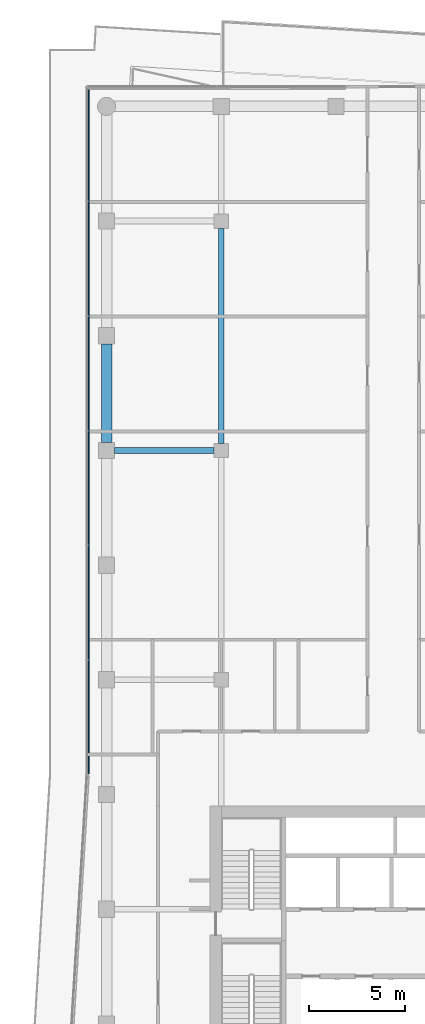
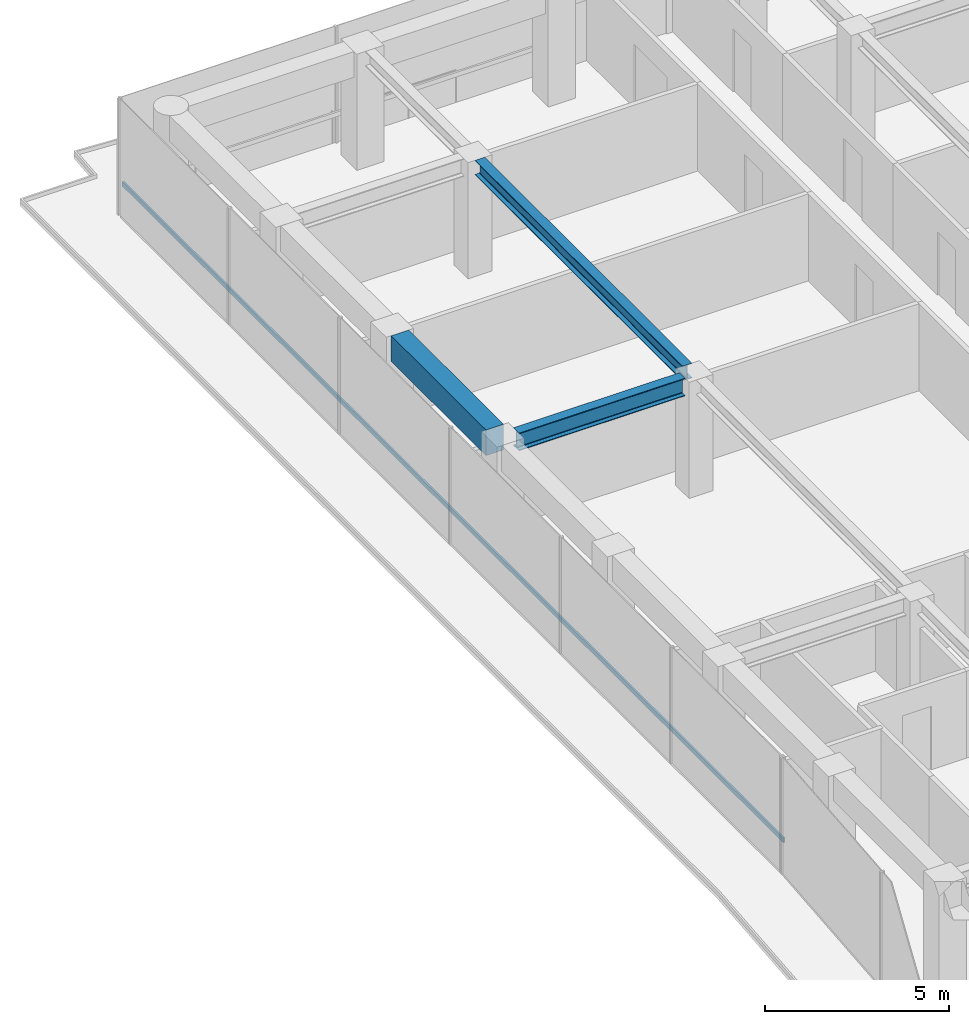
# One storey, part 11 of 22: 3 beams, 1 member, 1 element without a shape of its own.
"""IFC4 building model written with IfcOpenShell, lengths in metres."""

from ifc_helpers import new_model, si_unit, direction, frame, origin, origin_2d, place, context, subcontext, project, spatial, rectangle, i_section, extrude, material, layer, layer_set, material_profile, profile_set, type_object, element, aggregate, save


model = new_model("IFC4")

# Units and contexts
model_context = context("Model", 3, precision=1e-05, world=origin(), true_north=direction((0.0, 1.0)))
body_context = subcontext(model_context, "Body", "Model", "MODEL_VIEW")
ifc_project = project(units=[si_unit("LENGTHUNIT", "METRE"), si_unit("AREAUNIT", "SQUARE_METRE"), si_unit("VOLUMEUNIT", "CUBIC_METRE"), si_unit("PLANEANGLEUNIT", "RADIAN"), si_unit("MASSUNIT", "GRAM", prefix="KILO")], contexts=[model_context])

# Site, building, storey
site_placement = place(None, origin())
site = spatial("IfcSite", under=ifc_project, at=site_placement, CompositionType="ELEMENT")
building_placement = place(site_placement, origin())
building = spatial("IfcBuilding", under=site, at=building_placement, Name="Welwitschia Terrace Campus", CompositionType="ELEMENT")
storey_placement = place(building_placement, frame((0.0, 0.0, 155.0)))
storey = spatial("IfcBuildingStorey", under=building, at=storey_placement, Name="L34", CompositionType="ELEMENT", Elevation=155.0)

# Beams
ifc_material_1 = material(Name="Steel S355", Category="steel")
ifc_material_profile_1 = material_profile(ifc_material_1, i_section(OverallWidth=0.300048828125, OverallDepth=0.489990234375, WebThickness=0.011962890625, FlangeThickness=0.02294921875, FilletRadius=0.027099609375, at=origin_2d()))
ifc_profile_set_1 = profile_set([ifc_material_profile_1], Name="Steel S355")
beam_type_1 = type_object("IfcBeamType", Name="Interior girder HE 500 A", PredefinedType="BEAM", material=ifc_profile_set_1)
beam_1_placement = place(storey_placement, frame((6.0, 44.37548828125, 3.60498046875), z_axis=(0.0, 1.0, 0.0), x_axis=(-1.0, 0.0, 0.0)))
element("IfcBeam", 1, at=beam_1_placement, inside=storey, type_object=beam_type_1, Name="Girder GB4", PredefinedType="BEAM", context=body_context, shape_type="SweptSolid", body=[
    extrude(i_section(OverallWidth=0.300048828125, OverallDepth=0.489990234375, WebThickness=0.011962890625, FlangeThickness=0.02294921875, FilletRadius=0.027099609375, at=origin_2d()), origin(), (0.0, 0.0, 1.0), 11.2490234375),
])
ifc_material_2 = material(Name="Steel S355", Category="steel")
ifc_material_profile_2 = material_profile(ifc_material_2, i_section(OverallWidth=0.300048828125, OverallDepth=0.590087890625, WebThickness=0.012939453125, FlangeThickness=0.02490234375, FilletRadius=0.027099609375, at=origin_2d()))
ifc_profile_set_2 = profile_set([ifc_material_profile_2], Name="Steel S355")
beam_type_2 = type_object("IfcBeamType", Name="Primary beam HE 600 A", PredefinedType="BEAM", material=ifc_profile_set_2)
beam_2_placement = place(storey_placement, frame((0.425537109375, 44.0, 3.554931640625), z_axis=(1.0, 0.0, 0.0), x_axis=(0.0, 1.0, 0.0)))
element("IfcBeam", 2, at=beam_2_placement, inside=storey, type_object=beam_type_2, Name="Primary beam PB4", PredefinedType="BEAM", context=body_context, shape_type="SweptSolid", body=[
    extrude(i_section(OverallWidth=0.300048828125, OverallDepth=0.590087890625, WebThickness=0.012939453125, FlangeThickness=0.02490234375, FilletRadius=0.027099609375, at=origin_2d()), origin(), (0.0, 0.0, 1.0), 5.198974609375),
])
ifc_material_3 = material(Name="Concrete C50/60", Category="concrete")
ifc_material_profile_3 = material_profile(ifc_material_3, rectangle(XDim=0.550048828125, YDim=0.85009765625, at=origin_2d()))
ifc_profile_set_3 = profile_set([ifc_material_profile_3], Name="Concrete C50/60")
beam_type_3 = type_object("IfcBeamType", Name="Ring spandrel 550x850", PredefinedType="SPANDREL", material=ifc_profile_set_3)
beam_3_placement = place(storey_placement, frame((0.0, 49.574462890625, 3.425048828125), z_axis=(0.0, -1.0, 0.0), x_axis=(1.0, 0.0, 0.0)))
element("IfcBeam", 3, at=beam_3_placement, inside=storey, type_object=beam_type_3, Name="Spandrel SP3", PredefinedType="SPANDREL", context=body_context, shape_type="SweptSolid", body=[
    extrude(rectangle(XDim=0.550048828125, YDim=0.85009765625, at=origin_2d()), origin(), (0.0, 0.0, 1.0), 5.14892578125),
])

# Curtain wall, member
ifc_material_4 = material(Name="Bronze anodised aluminium", Category="aluminium")
ifc_layer = layer(ifc_material_4, 0.1201171875)
ifc_layer_set = layer_set([ifc_layer], Name="Bronze anodised aluminium")
curtain_wall_type = type_object("IfcCurtainWallType", Name="Curtain wall CW2 tower 6000", PredefinedType="NOTDEFINED", material=ifc_layer_set)
curtain_wall_placement = place(storey_placement, origin())
curtain_wall = element("IfcCurtainWall", 4, at=curtain_wall_placement, inside=storey, type_object=curtain_wall_type, Name="CW L34.11.0", PredefinedType="NOTDEFINED")
ifc_material_5 = material(Name="Bronze anodised aluminium", Category="aluminium")
ifc_material_profile_4 = material_profile(ifc_material_5, rectangle(XDim=0.06005859375, YDim=0.14990234375, at=origin_2d()))
ifc_profile_set_4 = profile_set([ifc_material_profile_4], Name="Bronze anodised aluminium")
member_type = type_object("IfcMemberType", Name="Transom 60x150", PredefinedType="USERDEFINED", material=ifc_profile_set_4)
member_placement = place(storey_placement, frame((-0.93994140625, 62.969970703125, 1.0), z_axis=(0.0, -1.0, 0.0), x_axis=(1.0, 0.0, 0.0)))
member = element("IfcMember", 5, at=member_placement, type_object=member_type, Name="Transom L34.11.0", ObjectType="TRANSOM", PredefinedType="USERDEFINED", context=body_context, shape_type="SweptSolid", body=[
    extrude(rectangle(XDim=0.06005859375, YDim=0.14990234375, at=origin_2d()), origin(), (0.0, 0.0, 1.0), 35.872802734375),
])
aggregate(curtain_wall, [member])

save(model, "model.ifc")
